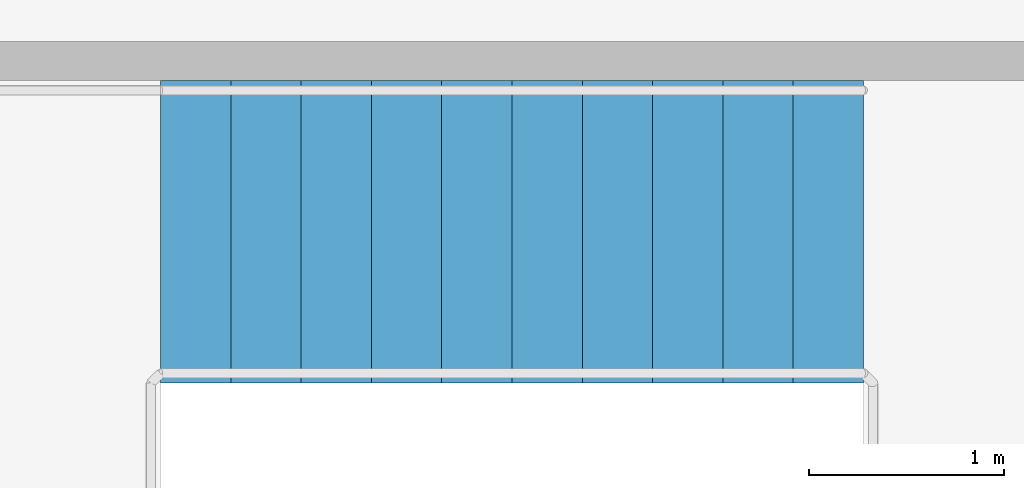
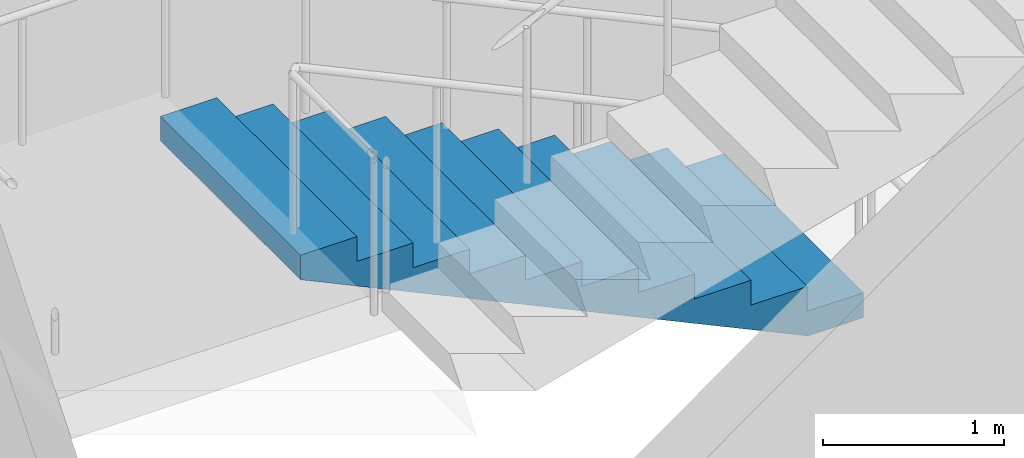
# One storey, part 13 of 16: 1 stair flight, 1 element without a shape of its own.
"""IFC4 building model written with IfcOpenShell, lengths in metres."""

from ifc_helpers import new_model, si_unit, direction, frame, origin, place, context, subcontext, project, spatial, polyline, outline, extrude, material, type_object, element, aggregate, save


model = new_model("IFC4")

# Units and contexts
model_context = context("Model", 3, precision=1e-05, world=origin(), true_north=direction((0.0, 1.0)))
body_context = subcontext(model_context, "Body", "Model", "MODEL_VIEW")
ifc_project = project(units=[si_unit("LENGTHUNIT", "METRE"), si_unit("AREAUNIT", "SQUARE_METRE"), si_unit("VOLUMEUNIT", "CUBIC_METRE"), si_unit("PLANEANGLEUNIT", "RADIAN"), si_unit("MASSUNIT", "GRAM", prefix="KILO")], contexts=[model_context])

# Site, building, storey
site_placement = place(None, origin())
site = spatial("IfcSite", under=ifc_project, at=site_placement, CompositionType="ELEMENT")
building_placement = place(site_placement, origin())
building = spatial("IfcBuilding", under=site, at=building_placement, Name="Kemantara Hotel Tower", CompositionType="ELEMENT")
storey_placement = place(building_placement, frame((0.0, 0.0, 272.199951171875)))
storey = spatial("IfcBuildingStorey", under=building, at=storey_placement, Name="L68", CompositionType="ELEMENT", Elevation=272.199951171875)

# Stair, stair flight
ifc_material = material(Name="Concrete fc 40 MPa", Category="concrete")
stair_type = type_object("IfcStairType", Name="Stair 1550 wide 22 risers of 168 x 360 mm", PredefinedType="HALF_TURN_STAIR", material=ifc_material)
stair_placement = place(storey_placement, origin())
stair = element("IfcStair", 1, at=stair_placement, inside=storey, type_object=stair_type, Name="L68 Exit stair ST4", PredefinedType="HALF_TURN_STAIR")
stair_flight_type = type_object("IfcStairFlightType", Name="Stair flight 1550 wide 168 x 360 mm", PredefinedType="STRAIGHT", material=ifc_material)
stair_flight_placement = place(storey_placement, frame((7.949951171875, 61.22509765625, 0.0), z_axis=(0.0, 0.0, 1.0), x_axis=(-1.0, 0.0, 0.0)))
stair_flight = element("IfcStairFlight", 2, at=stair_flight_placement, type_object=stair_flight_type, Name="ST4 flight 1", NumberOfRisers=11, NumberOfTreads=10, PredefinedType="STRAIGHT", RiserHeight=0.168181818, TreadLength=0.36, context=body_context, shape_type="SweptSolid", body=[
    extrude(outline(polyline([(0.0, 0.0), (0.0, 0.168212890625), (0.360107421875, 0.168212890625), (0.360107421875, 0.33642578125), (0.719970703125, 0.33642578125), (0.719970703125, 0.504638671875), (1.080078125, 0.504638671875), (1.080078125, 0.672607421875), (1.43994140625, 0.672607421875), (1.43994140625, 0.8408203125), (1.800048828125, 0.8408203125), (1.800048828125, 1.009033203125), (2.159912109375, 1.009033203125), (2.159912109375, 1.17724609375), (2.52001953125, 1.17724609375), (2.52001953125, 1.345458984375), (2.8798828125, 1.345458984375), (2.8798828125, 1.513671875), (3.239990234375, 1.513671875), (3.239990234375, 1.681884765625), (3.60009765625, 1.681884765625), (3.60009765625, 1.85009765625), (3.60009765625, 1.516357421875), (0.354248046875, 0.0), (0.0, 0.0)])), frame((0.0, 0.77490234375, 0.0), z_axis=(0.0, -1.0, 0.0), x_axis=(1.0, 0.0, 0.0)), (0.0, 0.0, 1.0), 1.550048828125),
])
aggregate(stair, [stair_flight])

save(model, "model.ifc")
